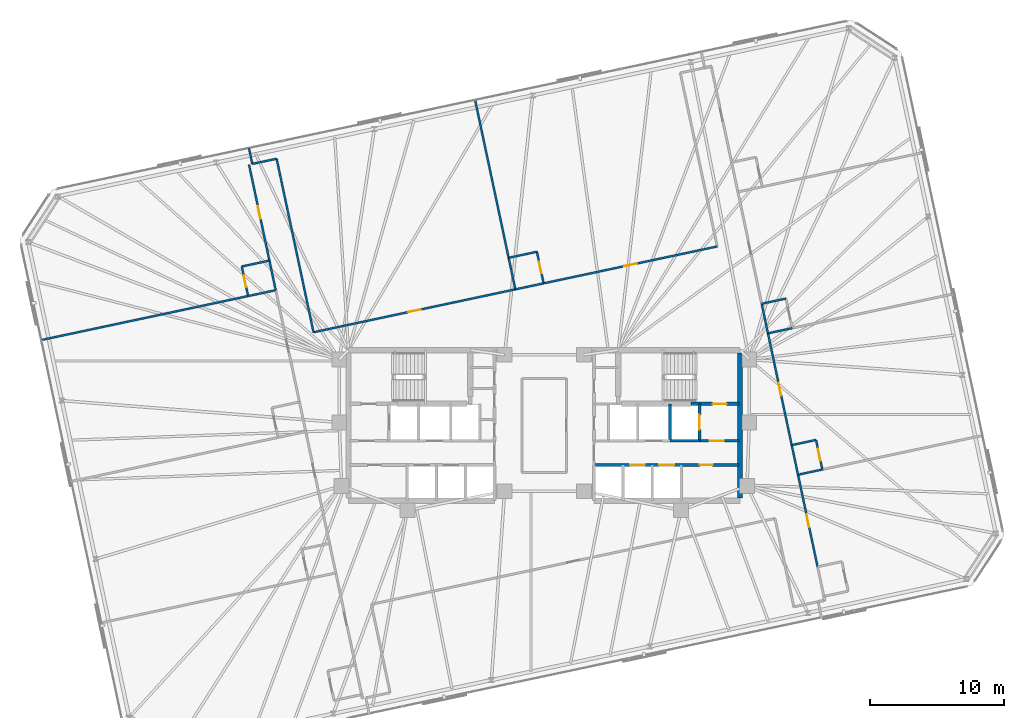
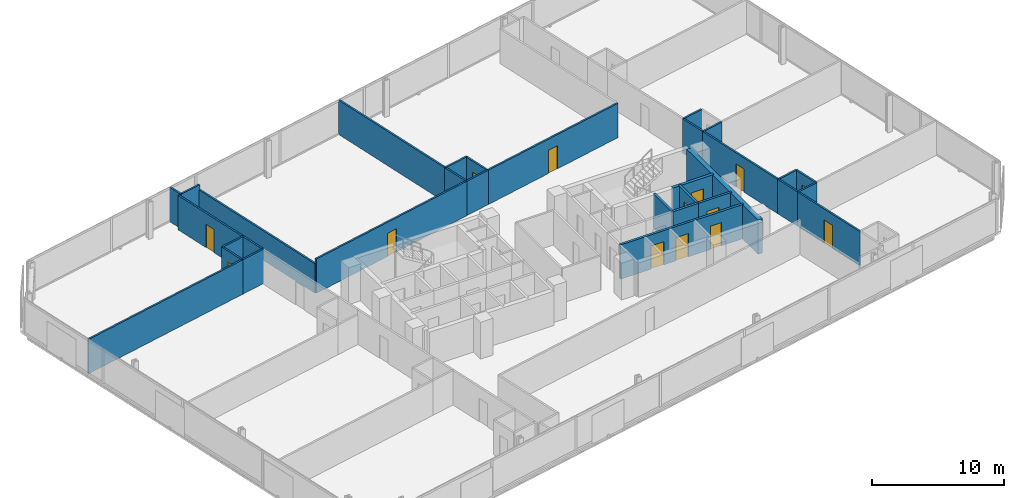
# One storey, part 16 of 19: 32 walls, 14 doors, 14 openings.
"""IFC4 building model written with IfcOpenShell, lengths in metres."""

from ifc_helpers import new_model, si_unit, direction, frame, frame_2d, origin, place, context, subcontext, project, spatial, rectangle, extrude, material, layer, layer_set, type_object, element, fill, save


model = new_model("IFC4")

# Units and contexts
model_context = context("Model", 3, precision=1e-05, world=origin(), true_north=direction((0.0, 1.0)))
body_context = subcontext(model_context, "Body", "Model", "MODEL_VIEW")
ifc_project = project(units=[si_unit("LENGTHUNIT", "METRE"), si_unit("AREAUNIT", "SQUARE_METRE"), si_unit("VOLUMEUNIT", "CUBIC_METRE"), si_unit("PLANEANGLEUNIT", "RADIAN"), si_unit("MASSUNIT", "GRAM", prefix="KILO")], contexts=[model_context])

# Site, building, storey
site_placement = place(None, origin())
site = spatial("IfcSite", under=ifc_project, at=site_placement, CompositionType="ELEMENT")
building_placement = place(site_placement, origin())
building = spatial("IfcBuilding", under=site, at=building_placement, Name="Menara Jurai Vektor", CompositionType="ELEMENT")
storey_placement = place(building_placement, frame((0.0, 0.0, 192.199951171875)))
storey = spatial("IfcBuildingStorey", under=building, at=storey_placement, Name="L50", CompositionType="ELEMENT", Elevation=192.199951171875)

# Wall, opening, door
ifc_material_1 = material(Name="Concrete C40/50", Category="concrete")
ifc_layer_1 = layer(ifc_material_1, 0.25)
ifc_layer_set_1 = layer_set([ifc_layer_1], Name="Concrete C40/50")
wall_type_1 = type_object("IfcWallType", Name="INT-WALL-CORE-250", PredefinedType="STANDARD", material=ifc_layer_set_1)
wall_1_placement = place(storey_placement, frame((10.89990234375, 1.60009765625, 0.0), z_axis=(0.0, 0.0, 1.0), x_axis=(1.0, 0.0, 0.0)))
wall_1 = element("IfcWall", 1, at=wall_1_placement, inside=storey, type_object=wall_type_1, Name="Interior Wall IW-250 L50", PredefinedType="STANDARD", context=body_context, shape_type="SweptSolid", body=[
    extrude(rectangle(XDim=3.60009765625, YDim=0.25, at=frame_2d((1.800048828125, 0.0))), origin(), (0.0, 0.0, 1.0), 3.175048828125),
])
opening_1_placement = place(wall_1_placement, frame((1.6201171875, 0.0, 0.0)))
opening_1 = element("IfcOpeningElement", 2, at=opening_1_placement, cuts=wall_1, Name="Opening D-L50-ST2", PredefinedType="OPENING", context=body_context, shape_type="SweptSolid", body=[
    extrude(rectangle(XDim=1.050048828125, YDim=2.14990234375, at=frame_2d((0.52490234375, 1.074951171875))), frame((0.0, 0.135009765625, 0.0), z_axis=(0.0, -1.0, 0.0), x_axis=(1.0, 0.0, 0.0)), (0.0, 0.0, 1.0), 0.27001953125),
])
ifc_material_2 = material(Name="Fire-Rated Steel Door", Category="steel")
door_type_1 = type_object("IfcDoorType", Name="DR-STAIR-1050", OperationType="NOTDEFINED", PredefinedType="DOOR", material=ifc_material_2)
door_1_placement = place(opening_1_placement, origin())
door_1 = element("IfcDoor", 3, at=door_1_placement, inside=storey, type_object=door_type_1, Name="Exit Stair ST2 Door L50", OperationType="SINGLE_SWING_LEFT", OverallHeight=2.14990234375, OverallWidth=1.050048828125, PredefinedType="DOOR", context=body_context, shape_type="SweptSolid", body=[
    extrude(rectangle(XDim=1.050048828125, YDim=2.14990234375, at=frame_2d((0.52490234375, 1.074951171875))), frame((0.0, 0.02490234375, 0.0), z_axis=(0.0, -1.0, 0.0), x_axis=(1.0, 0.0, 0.0)), (0.0, 0.0, 1.0), 0.050048828125),
])
fill(opening_1, door_1)

wall_2_placement = place(storey_placement, frame((11.550048828125, -1.14990234375, 0.0), z_axis=(0.0, 0.0, 1.0), x_axis=(0.0, 1.0, 0.0)))
wall_2 = element("IfcWall", 4, at=wall_2_placement, inside=storey, type_object=wall_type_1, Name="Interior Wall IW-250 L50", PredefinedType="STANDARD", context=body_context, shape_type="SweptSolid", body=[
    extrude(rectangle(XDim=2.75, YDim=0.199951171875, at=frame_2d((1.375, 0.0))), origin(), (0.0, 0.0, 1.0), 3.175048828125),
])
opening_2_placement = place(wall_2_placement, frame((0.824951171875, 0.0, 0.0)))
opening_2 = element("IfcOpeningElement", 5, at=opening_2_placement, cuts=wall_2, Name="Opening LD-L50-FL2", PredefinedType="OPENING", context=body_context, shape_type="SweptSolid", body=[
    extrude(rectangle(XDim=1.10009765625, YDim=2.14990234375, at=frame_2d((0.550048828125, 1.074951171875))), frame((0.0, 0.10986328125, 0.0), z_axis=(0.0, -1.0, 0.0), x_axis=(1.0, 0.0, 0.0)), (0.0, 0.0, 1.0), 0.219970703125),
])
ifc_material_3 = material(Name="Stainless Steel Sliding Lift Landing Door", Category="steel")
door_type_2 = type_object("IfcDoorType", Name="DR-LIFT-FIRE-1100", OperationType="NOTDEFINED", PredefinedType="DOOR", material=ifc_material_3)
door_2_placement = place(opening_2_placement, origin())
door_2 = element("IfcDoor", 6, at=door_2_placement, inside=storey, type_object=door_type_2, Name="Lift Landing Door FL2 L50", OperationType="SLIDING_TO_RIGHT", OverallHeight=2.14990234375, OverallWidth=1.10009765625, PredefinedType="DOOR", context=body_context, shape_type="SweptSolid", body=[
    extrude(rectangle(XDim=1.10009765625, YDim=2.14990234375, at=frame_2d((0.550048828125, 1.074951171875))), frame((0.0, 0.02490234375, 0.0), z_axis=(0.0, -1.0, 0.0), x_axis=(1.0, 0.0, 0.0)), (0.0, 0.0, 1.0), 0.050048828125),
])
fill(opening_2, door_2)

# Wall
wall_3_placement = place(storey_placement, frame((9.35009765625, -1.14990234375, 0.0), z_axis=(0.0, 0.0, 1.0), x_axis=(0.0, 1.0, 0.0)))
element("IfcWall", 7, at=wall_3_placement, inside=storey, type_object=wall_type_1, Name="Interior Wall IW-250 L50", PredefinedType="STANDARD", context=body_context, shape_type="SweptSolid", body=[
    extrude(rectangle(XDim=2.75, YDim=0.199951171875, at=frame_2d((1.375, 0.0))), origin(), (0.0, 0.0, 1.0), 3.175048828125),
])

# Wall, opening, door
wall_4_placement = place(storey_placement, frame((11.550048828125, -1.14990234375, 0.0), z_axis=(0.0, 0.0, 1.0), x_axis=(1.0, 0.0, 0.0)))
wall_4 = element("IfcWall", 8, at=wall_4_placement, inside=storey, type_object=wall_type_1, Name="Interior Wall IW-250 L50", PredefinedType="STANDARD", context=body_context, shape_type="SweptSolid", body=[
    extrude(rectangle(XDim=2.949951171875, YDim=0.199951171875, at=frame_2d((1.47509765625, 0.0))), origin(), (0.0, 0.0, 1.0), 3.175048828125),
])
opening_3_placement = place(wall_4_placement, frame((0.75, 0.0, 0.0)))
opening_3 = element("IfcOpeningElement", 9, at=opening_3_placement, cuts=wall_4, Name="Opening D-L50-FFE", PredefinedType="OPENING", context=body_context, shape_type="SweptSolid", body=[
    extrude(rectangle(XDim=1.050048828125, YDim=2.179931640625, at=frame_2d((0.52490234375, 1.08984375))), frame((0.0, 0.10986328125, 0.0), z_axis=(0.0, -1.0, 0.0), x_axis=(1.0, 0.0, 0.0)), (0.0, 0.0, 1.0), 0.219970703125),
])
ifc_material_4 = material(Name="Fire-Rated Timber Door", Category="wood")
door_type_3 = type_object("IfcDoorType", Name="DR-LOBBY-1050", OperationType="NOTDEFINED", PredefinedType="DOOR", material=ifc_material_4)
door_3_placement = place(opening_3_placement, origin())
door_3 = element("IfcDoor", 10, at=door_3_placement, inside=storey, type_object=door_type_3, Name="Fire Lift Lobby Door E L50", OperationType="SINGLE_SWING_LEFT", OverallHeight=2.179931640625, OverallWidth=1.050048828125, PredefinedType="DOOR", context=body_context, shape_type="SweptSolid", body=[
    extrude(rectangle(XDim=1.050048828125, YDim=2.179931640625, at=frame_2d((0.52490234375, 1.08984375))), frame((0.0, 0.02490234375, 0.0), z_axis=(0.0, -1.0, 0.0), x_axis=(1.0, 0.0, 0.0)), (0.0, 0.0, 1.0), 0.050048828125),
])
fill(opening_3, door_3)

# Walls
wall_5_placement = place(storey_placement, frame((9.35009765625, -1.14990234375, 0.0), z_axis=(0.0, 0.0, 1.0), x_axis=(1.0, 0.0, 0.0)))
element("IfcWall", 11, at=wall_5_placement, inside=storey, type_object=wall_type_1, Name="Interior Wall IW-250 L50", PredefinedType="STANDARD", context=body_context, shape_type="SweptSolid", body=[
    extrude(rectangle(XDim=2.199951171875, YDim=0.199951171875, at=frame_2d((1.10009765625, 0.0))), origin(), (0.0, 0.0, 1.0), 3.175048828125),
])
ifc_material_5 = material(Name="Gypsum Fireboard Partition", Category="gypsum")
ifc_layer_2 = layer(ifc_material_5, 0.14990234375)
ifc_layer_set_2 = layer_set([ifc_layer_2], Name="Gypsum Fireboard Partition")
wall_type_2 = type_object("IfcWallType", Name="INT-WALL-CORR-150", PredefinedType="PARTITIONING", material=ifc_layer_set_2)
wall_6_placement = place(storey_placement, frame((-21.71533203125, 19.447998046875, 0.0), z_axis=(0.0, 0.0, 1.0), x_axis=(0.978160192495, 0.207852442415, 0.0)))
element("IfcWall", 12, at=wall_6_placement, inside=storey, type_object=wall_type_2, Name="Interior Wall IW-150 L50", PredefinedType="PARTITIONING", context=body_context, shape_type="SweptSolid", body=[
    extrude(rectangle(XDim=1.849853515625, YDim=0.14990234375, at=frame_2d((0.9248046875, 0.0))), origin(), (0.0, 0.0, 1.0), 3.175048828125),
])

# Wall, opening, door
wall_7_placement = place(storey_placement, frame((-17.162353515625, 6.92578125, 0.0), z_axis=(0.0, 0.0, 1.0), x_axis=(0.978145870853, 0.207919829103, 0.0)))
wall_7 = element("IfcWall", 13, at=wall_7_placement, inside=storey, type_object=wall_type_2, Name="Interior Wall IW-150 L50", PredefinedType="PARTITIONING", context=body_context, shape_type="SweptSolid", body=[
    extrude(rectangle(XDim=15.346923828125, YDim=0.14990234375, at=frame_2d((7.67333984375, 0.0))), origin(), (0.0, 0.0, 1.0), 3.175048828125),
])
opening_4_placement = place(wall_7_placement, frame((7.21337890625, 0.0, 0.0)))
opening_4 = element("IfcOpeningElement", 14, at=opening_4_placement, cuts=wall_7, Name="Opening D50-09", PredefinedType="OPENING", context=body_context, shape_type="SweptSolid", body=[
    extrude(rectangle(XDim=0.919921875, YDim=2.14990234375, at=frame_2d((0.4599609375, 1.074951171875))), frame((0.0, 0.0849609375, 0.0), z_axis=(0.0, -1.0, 0.0), x_axis=(1.0, 0.0, 0.0)), (0.0, 0.0, 1.0), 0.169921875),
])
ifc_material_6 = material(Name="Solid Core Timber Fire Door", Category="wood")
door_type_4 = type_object("IfcDoorType", Name="DR-ENTRY-950", OperationType="NOTDEFINED", PredefinedType="DOOR", material=ifc_material_6)
door_4_placement = place(opening_4_placement, origin())
door_4 = element("IfcDoor", 15, at=door_4_placement, inside=storey, type_object=door_type_4, Name="Interior Door D50-09", OperationType="SINGLE_SWING_RIGHT", OverallHeight=2.14990234375, OverallWidth=0.919921875, PredefinedType="DOOR", context=body_context, shape_type="SweptSolid", body=[
    extrude(rectangle(XDim=0.919921875, YDim=2.14990234375, at=frame_2d((0.4599609375, 1.074951171875))), frame((0.0, 0.02490234375, 0.0), z_axis=(0.0, -1.0, 0.0), x_axis=(1.0, 0.0, 0.0)), (0.0, 0.0, 1.0), 0.050048828125),
])
fill(opening_4, door_4)

wall_8_placement = place(storey_placement, frame((-0.0478515625, 10.563720703125, 0.0), z_axis=(0.0, 0.0, 1.0), x_axis=(0.978149729453, 0.207901675731, 0.0)))
wall_8 = element("IfcWall", 16, at=wall_8_placement, inside=storey, type_object=wall_type_2, Name="Interior Wall IW-150 L50", PredefinedType="PARTITIONING", context=body_context, shape_type="SweptSolid", body=[
    extrude(rectangle(XDim=13.197998046875, YDim=0.14990234375, at=frame_2d((6.59912109375, 0.0))), origin(), (0.0, 0.0, 1.0), 3.175048828125),
])
opening_5_placement = place(wall_8_placement, frame((6.138916015625, 0.0, 0.0)))
opening_5 = element("IfcOpeningElement", 17, at=opening_5_placement, cuts=wall_8, Name="Opening D50-10", PredefinedType="OPENING", context=body_context, shape_type="SweptSolid", body=[
    extrude(rectangle(XDim=0.919921875, YDim=2.14990234375, at=frame_2d((0.4599609375, 1.074951171875))), frame((0.0, 0.0849609375, 0.0), z_axis=(0.0, -1.0, 0.0), x_axis=(1.0, 0.0, 0.0)), (0.0, 0.0, 1.0), 0.169921875),
])
door_5_placement = place(opening_5_placement, origin())
door_5 = element("IfcDoor", 18, at=door_5_placement, inside=storey, type_object=door_type_4, Name="Interior Door D50-10", OperationType="SINGLE_SWING_LEFT", OverallHeight=2.14990234375, OverallWidth=0.919921875, PredefinedType="DOOR", context=body_context, shape_type="SweptSolid", body=[
    extrude(rectangle(XDim=0.919921875, YDim=2.14990234375, at=frame_2d((0.4599609375, 1.074951171875))), frame((0.0, 0.02490234375, 0.0), z_axis=(0.0, -1.0, 0.0), x_axis=(1.0, 0.0, 0.0)), (0.0, 0.0, 1.0), 0.050048828125),
])
fill(opening_5, door_5)

# Wall
wall_9_placement = place(storey_placement, frame((-2.15087890625, 10.11669921875, 0.0), z_axis=(0.0, 0.0, 1.0), x_axis=(0.978146728319, 0.207915795165, 0.0)))
element("IfcWall", 19, at=wall_9_placement, inside=storey, type_object=wall_type_2, Name="Interior Wall IW-150 L50", PredefinedType="PARTITIONING", context=body_context, shape_type="SweptSolid", body=[
    extrude(rectangle(XDim=2.14990234375, YDim=0.14990234375, at=frame_2d((1.074951171875, 0.0))), origin(), (0.0, 0.0, 1.0), 3.175048828125),
])

# Wall, opening, door
wall_10_placement = place(storey_placement, frame((-20.442138671875, 12.25537109375, 0.0), z_axis=(0.0, 0.0, 1.0), x_axis=(-0.207916352354, 0.978146609882, 0.0)))
wall_10 = element("IfcWall", 20, at=wall_10_placement, inside=storey, type_object=wall_type_2, Name="Interior Wall IW-150 L50", PredefinedType="PARTITIONING", context=body_context, shape_type="SweptSolid", body=[
    extrude(rectangle(XDim=7.300048828125, YDim=0.14990234375, at=frame_2d((3.64990234375, 0.0))), origin(), (0.0, 0.0, 1.0), 3.175048828125),
])
opening_6_placement = place(wall_10_placement, frame((3.175048828125, 0.0, 0.0)))
opening_6 = element("IfcOpeningElement", 21, at=opening_6_placement, cuts=wall_10, Name="Opening D50-19", PredefinedType="OPENING", context=body_context, shape_type="SweptSolid", body=[
    extrude(rectangle(XDim=0.949951171875, YDim=2.14990234375, at=frame_2d((0.47509765625, 1.074951171875))), frame((0.0, 0.0849609375, 0.0), z_axis=(0.0, -1.0, 0.0), x_axis=(1.0, 0.0, 0.0)), (0.0, 0.0, 1.0), 0.169921875),
])
door_6_placement = place(opening_6_placement, origin())
door_6 = element("IfcDoor", 22, at=door_6_placement, inside=storey, type_object=door_type_4, Name="Interior Door D50-19", OperationType="SINGLE_SWING_RIGHT", OverallHeight=2.14990234375, OverallWidth=0.949951171875, PredefinedType="DOOR", context=body_context, shape_type="SweptSolid", body=[
    extrude(rectangle(XDim=0.949951171875, YDim=2.14990234375, at=frame_2d((0.47509765625, 1.074951171875))), frame((0.0, 0.02490234375, 0.0), z_axis=(0.0, -1.0, 0.0), x_axis=(1.0, 0.0, 0.0)), (0.0, 0.0, 1.0), 0.050048828125),
])
fill(opening_6, door_6)

# Wall
wall_11_placement = place(storey_placement, frame((-19.974365234375, 10.0546875, 0.0), z_axis=(0.0, 0.0, 1.0), x_axis=(-0.207913264065, 0.978147266328, 0.0)))
element("IfcWall", 23, at=wall_11_placement, inside=storey, type_object=wall_type_2, Name="Interior Wall IW-150 L50", PredefinedType="PARTITIONING", context=body_context, shape_type="SweptSolid", body=[
    extrude(rectangle(XDim=2.249755859375, YDim=0.14990234375, at=frame_2d((1.125, 0.0))), origin(), (0.0, 0.0, 1.0), 3.175048828125),
])

# Wall, opening, door
wall_12_placement = place(storey_placement, frame((20.328125, -10.515380859375, 0.0), z_axis=(0.0, 0.0, 1.0), x_axis=(-0.207906726269, 0.978148655968, 0.0)))
wall_12 = element("IfcWall", 24, at=wall_12_placement, inside=storey, type_object=wall_type_2, Name="Interior Wall IW-150 L50", PredefinedType="PARTITIONING", context=body_context, shape_type="SweptSolid", body=[
    extrude(rectangle(XDim=7.0, YDim=0.14990234375, at=frame_2d((3.5, 0.0))), origin(), (0.0, 0.0, 1.0), 3.175048828125),
])
opening_7_placement = place(wall_12_placement, frame((3.02490234375, 0.0, 0.0)))
opening_7 = element("IfcOpeningElement", 25, at=opening_7_placement, cuts=wall_12, Name="Opening D50-21", PredefinedType="OPENING", context=body_context, shape_type="SweptSolid", body=[
    extrude(rectangle(XDim=0.949951171875, YDim=2.14990234375, at=frame_2d((0.47509765625, 1.074951171875))), frame((0.0, 0.0849609375, 0.0), z_axis=(0.0, -1.0, 0.0), x_axis=(1.0, 0.0, 0.0)), (0.0, 0.0, 1.0), 0.169921875),
])
door_7_placement = place(opening_7_placement, origin())
door_7 = element("IfcDoor", 26, at=door_7_placement, inside=storey, type_object=door_type_4, Name="Interior Door D50-21", OperationType="SINGLE_SWING_RIGHT", OverallHeight=2.14990234375, OverallWidth=0.949951171875, PredefinedType="DOOR", context=body_context, shape_type="SweptSolid", body=[
    extrude(rectangle(XDim=0.949951171875, YDim=2.14990234375, at=frame_2d((0.47509765625, 1.074951171875))), frame((0.0, 0.02490234375, 0.0), z_axis=(0.0, -1.0, 0.0), x_axis=(1.0, 0.0, 0.0)), (0.0, 0.0, 1.0), 0.050048828125),
])
fill(opening_7, door_7)

wall_13_placement = place(storey_placement, frame((18.40478515625, -1.4677734375, 0.0), z_axis=(0.0, 0.0, 1.0), x_axis=(-0.207888984761, 0.97815242678, 0.0)))
wall_13 = element("IfcWall", 27, at=wall_13_placement, inside=storey, type_object=wall_type_2, Name="Interior Wall IW-150 L50", PredefinedType="PARTITIONING", context=body_context, shape_type="SweptSolid", body=[
    extrude(rectangle(XDim=8.500244140625, YDim=0.14990234375, at=frame_2d((4.25, 0.0))), origin(), (0.0, 0.0, 1.0), 3.175048828125),
])
opening_8_placement = place(wall_13_placement, frame((3.77490234375, 0.0, 0.0)))
opening_8 = element("IfcOpeningElement", 28, at=opening_8_placement, cuts=wall_13, Name="Opening D50-23", PredefinedType="OPENING", context=body_context, shape_type="SweptSolid", body=[
    extrude(rectangle(XDim=0.949951171875, YDim=2.14990234375, at=frame_2d((0.47509765625, 1.074951171875))), frame((0.0, 0.0849609375, 0.0), z_axis=(0.0, -1.0, 0.0), x_axis=(1.0, 0.0, 0.0)), (0.0, 0.0, 1.0), 0.169921875),
])
door_8_placement = place(opening_8_placement, origin())
door_8 = element("IfcDoor", 29, at=door_8_placement, inside=storey, type_object=door_type_4, Name="Interior Door D50-23", OperationType="SINGLE_SWING_RIGHT", OverallHeight=2.14990234375, OverallWidth=0.949951171875, PredefinedType="DOOR", context=body_context, shape_type="SweptSolid", body=[
    extrude(rectangle(XDim=0.949951171875, YDim=2.14990234375, at=frame_2d((0.47509765625, 1.074951171875))), frame((0.0, 0.02490234375, 0.0), z_axis=(0.0, -1.0, 0.0), x_axis=(1.0, 0.0, 0.0)), (0.0, 0.0, 1.0), 0.050048828125),
])
fill(opening_8, door_8)

# Walls
wall_14_placement = place(storey_placement, frame((18.872802734375, -3.66845703125, 0.0), z_axis=(0.0, 0.0, 1.0), x_axis=(-0.208017083936, 0.9781251928, 0.0)))
element("IfcWall", 30, at=wall_14_placement, inside=storey, type_object=wall_type_2, Name="Interior Wall IW-150 L50", PredefinedType="PARTITIONING", context=body_context, shape_type="SweptSolid", body=[
    extrude(rectangle(XDim=2.25, YDim=0.14990234375, at=frame_2d((1.125, 0.0))), origin(), (0.0, 0.0, 1.0), 3.175048828125),
])
wall_15_placement = place(storey_placement, frame((16.6376953125, 6.8466796875, 0.0), z_axis=(0.0, 0.0, 1.0), x_axis=(-0.207913264065, 0.978147266328, 0.0)))
element("IfcWall", 31, at=wall_15_placement, inside=storey, type_object=wall_type_2, Name="Interior Wall IW-150 L50", PredefinedType="PARTITIONING", context=body_context, shape_type="SweptSolid", body=[
    extrude(rectangle(XDim=2.249755859375, YDim=0.14990234375, at=frame_2d((1.125, 0.0))), origin(), (0.0, 0.0, 1.0), 3.175048828125),
])
wall_16_placement = place(storey_placement, frame((-2.64990234375, 12.46435546875, 0.0), z_axis=(0.0, 0.0, 1.0), x_axis=(-0.207914988081, 0.978146899873, 0.0)))
element("IfcWall", 32, at=wall_16_placement, inside=storey, type_object=wall_type_2, Name="Interior Wall IW-150 L50", PredefinedType="PARTITIONING", context=body_context, shape_type="SweptSolid", body=[
    extrude(rectangle(XDim=11.994873046875, YDim=0.14990234375, at=frame_2d((5.99755859375, 0.0))), origin(), (0.0, 0.0, 1.0), 3.175048828125),
])
wall_17_placement = place(storey_placement, frame((-2.15087890625, 10.11669921875, 0.0), z_axis=(0.0, 0.0, 1.0), x_axis=(-0.207917150959, 0.978146440129, 0.0)))
element("IfcWall", 33, at=wall_17_placement, inside=storey, type_object=wall_type_2, Name="Interior Wall IW-150 L50", PredefinedType="PARTITIONING", context=body_context, shape_type="SweptSolid", body=[
    extrude(rectangle(XDim=2.400146484375, YDim=0.14990234375, at=frame_2d((1.2001953125, 0.0))), origin(), (0.0, 0.0, 1.0), 3.175048828125),
])
wall_18_placement = place(storey_placement, frame((-21.71533203125, 19.447998046875, 0.0), z_axis=(0.0, 0.0, 1.0), x_axis=(-0.20795853359, 0.978137642823, 0.0)))
element("IfcWall", 34, at=wall_18_placement, inside=storey, type_object=wall_type_2, Name="Interior Wall IW-150 L50", PredefinedType="PARTITIONING", context=body_context, shape_type="SweptSolid", body=[
    extrude(rectangle(XDim=1.19970703125, YDim=0.14990234375, at=frame_2d((0.599853515625, 0.0))), origin(), (0.0, 0.0, 1.0), 3.175048828125),
])
wall_19_placement = place(storey_placement, frame((-2.64990234375, 12.46435546875, 0.0), z_axis=(0.0, 0.0, 1.0), x_axis=(0.978146728319, 0.207915795165, 0.0)))
element("IfcWall", 35, at=wall_19_placement, inside=storey, type_object=wall_type_2, Name="Interior Wall IW-150 L50", PredefinedType="PARTITIONING", context=body_context, shape_type="SweptSolid", body=[
    extrude(rectangle(XDim=2.14990234375, YDim=0.14990234375, at=frame_2d((1.074951171875, 0.0))), origin(), (0.0, 0.0, 1.0), 3.175048828125),
])

# Wall, opening, door
wall_20_placement = place(storey_placement, frame((-0.0478515625, 10.563720703125, 0.0), z_axis=(0.0, 0.0, 1.0), x_axis=(-0.207917150959, 0.978146440129, 0.0)))
wall_20 = element("IfcWall", 36, at=wall_20_placement, inside=storey, type_object=wall_type_2, Name="Interior Wall IW-150 L50", PredefinedType="PARTITIONING", context=body_context, shape_type="SweptSolid", body=[
    extrude(rectangle(XDim=2.400146484375, YDim=0.14990234375, at=frame_2d((1.2001953125, 0.0))), origin(), (0.0, 0.0, 1.0), 3.175048828125),
])
opening_9_placement = place(wall_20_placement, frame((0.760009765625, 0.0, 0.0)))
opening_9 = element("IfcOpeningElement", 37, at=opening_9_placement, cuts=wall_20, Name="Opening D50-11", PredefinedType="OPENING", context=body_context, shape_type="SweptSolid", body=[
    extrude(rectangle(XDim=0.8798828125, YDim=2.14990234375, at=frame_2d((0.43994140625, 1.074951171875))), frame((0.0, 0.0849609375, 0.0), z_axis=(0.0, -1.0, 0.0), x_axis=(1.0, 0.0, 0.0)), (0.0, 0.0, 1.0), 0.169921875),
])
ifc_material_7 = material(Name="Moisture-Resistant Timber Door", Category="wood")
door_type_5 = type_object("IfcDoorType", Name="DR-BATH-880", OperationType="NOTDEFINED", PredefinedType="DOOR", material=ifc_material_7)
door_9_placement = place(opening_9_placement, origin())
door_9 = element("IfcDoor", 38, at=door_9_placement, inside=storey, type_object=door_type_5, Name="Interior Door D50-11", OperationType="SINGLE_SWING_RIGHT", OverallHeight=2.14990234375, OverallWidth=0.8798828125, PredefinedType="DOOR", context=body_context, shape_type="SweptSolid", body=[
    extrude(rectangle(XDim=0.8798828125, YDim=2.14990234375, at=frame_2d((0.43994140625, 1.074951171875))), frame((0.0, 0.02490234375, 0.0), z_axis=(0.0, -1.0, 0.0), x_axis=(1.0, 0.0, 0.0)), (0.0, 0.0, 1.0), 0.050048828125),
])
fill(opening_9, door_9)

# Walls
wall_21_placement = place(storey_placement, frame((-37.403076171875, 6.35009765625, 0.0), z_axis=(0.0, 0.0, 1.0), x_axis=(0.978149296727, 0.207903711638, 0.0)))
element("IfcWall", 39, at=wall_21_placement, inside=storey, type_object=wall_type_2, Name="Interior Wall IW-150 L50", PredefinedType="PARTITIONING", context=body_context, shape_type="SweptSolid", body=[
    extrude(rectangle(XDim=15.718017578125, YDim=0.14990234375, at=frame_2d((7.85888671875, 0.0))), origin(), (0.0, 0.0, 1.0), 3.175048828125),
])
wall_22_placement = place(storey_placement, frame((-22.028564453125, 9.617919921875, 0.0), z_axis=(0.0, 0.0, 1.0), x_axis=(0.978134617382, 0.207972763311, 0.0)))
element("IfcWall", 40, at=wall_22_placement, inside=storey, type_object=wall_type_2, Name="Interior Wall IW-150 L50", PredefinedType="PARTITIONING", context=body_context, shape_type="SweptSolid", body=[
    extrude(rectangle(XDim=2.10009765625, YDim=0.14990234375, at=frame_2d((1.050048828125, 0.0))), origin(), (0.0, 0.0, 1.0), 3.175048828125),
])

# Wall, opening, door
wall_23_placement = place(storey_placement, frame((-22.028564453125, 9.617919921875, 0.0), z_axis=(0.0, 0.0, 1.0), x_axis=(-0.207891197838, 0.978151956427, 0.0)))
wall_23 = element("IfcWall", 41, at=wall_23_placement, inside=storey, type_object=wall_type_2, Name="Interior Wall IW-150 L50", PredefinedType="PARTITIONING", context=body_context, shape_type="SweptSolid", body=[
    extrude(rectangle(XDim=2.25, YDim=0.14990234375, at=frame_2d((1.125, 0.0))), origin(), (0.0, 0.0, 1.0), 3.175048828125),
])
opening_10_placement = place(wall_23_placement, frame((0.68505859375, 0.0, 0.0)))
opening_10 = element("IfcOpeningElement", 42, at=opening_10_placement, cuts=wall_23, Name="Opening D50-20", PredefinedType="OPENING", context=body_context, shape_type="SweptSolid", body=[
    extrude(rectangle(XDim=0.8798828125, YDim=2.14990234375, at=frame_2d((0.43994140625, 1.074951171875))), frame((0.0, 0.0849609375, 0.0), z_axis=(0.0, -1.0, 0.0), x_axis=(1.0, 0.0, 0.0)), (0.0, 0.0, 1.0), 0.169921875),
])
door_10_placement = place(opening_10_placement, origin())
door_10 = element("IfcDoor", 43, at=door_10_placement, inside=storey, type_object=door_type_5, Name="Interior Door D50-20", OperationType="SINGLE_SWING_LEFT", OverallHeight=2.14990234375, OverallWidth=0.8798828125, PredefinedType="DOOR", context=body_context, shape_type="SweptSolid", body=[
    extrude(rectangle(XDim=0.8798828125, YDim=2.14990234375, at=frame_2d((0.43994140625, 1.074951171875))), frame((0.0, 0.02490234375, 0.0), z_axis=(0.0, -1.0, 0.0), x_axis=(1.0, 0.0, 0.0)), (0.0, 0.0, 1.0), 0.050048828125),
])
fill(opening_10, door_10)

# Walls
wall_24_placement = place(storey_placement, frame((-22.496337890625, 11.81884765625, 0.0), z_axis=(0.0, 0.0, 1.0), x_axis=(0.97815826, 0.207861536591, 0.0)))
element("IfcWall", 44, at=wall_24_placement, inside=storey, type_object=wall_type_2, Name="Interior Wall IW-150 L50", PredefinedType="PARTITIONING", context=body_context, shape_type="SweptSolid", body=[
    extrude(rectangle(XDim=2.10009765625, YDim=0.14990234375, at=frame_2d((1.050048828125, 0.0))), origin(), (0.0, 0.0, 1.0), 3.175048828125),
])
wall_25_placement = place(storey_placement, frame((18.872802734375, -3.66845703125, 0.0), z_axis=(0.0, 0.0, 1.0), x_axis=(0.978160192495, 0.207852442415, 0.0)))
element("IfcWall", 45, at=wall_25_placement, inside=storey, type_object=wall_type_2, Name="Interior Wall IW-150 L50", PredefinedType="PARTITIONING", context=body_context, shape_type="SweptSolid", body=[
    extrude(rectangle(XDim=1.849853515625, YDim=0.14990234375, at=frame_2d((0.9248046875, 0.0))), origin(), (0.0, 0.0, 1.0), 3.175048828125),
])
wall_26_placement = place(storey_placement, frame((18.40478515625, -1.4677734375, 0.0), z_axis=(0.0, 0.0, 1.0), x_axis=(0.978139061018, 0.207951862966, 0.0)))
element("IfcWall", 46, at=wall_26_placement, inside=storey, type_object=wall_type_2, Name="Interior Wall IW-150 L50", PredefinedType="PARTITIONING", context=body_context, shape_type="SweptSolid", body=[
    extrude(rectangle(XDim=1.850341796875, YDim=0.14990234375, at=frame_2d((0.92529296875, 0.0))), origin(), (0.0, 0.0, 1.0), 3.175048828125),
])

# Wall, opening, door
wall_27_placement = place(storey_placement, frame((20.682373046875, -3.283935546875, 0.0), z_axis=(0.0, 0.0, 1.0), x_axis=(-0.207891197838, 0.978151956427, 0.0)))
wall_27 = element("IfcWall", 47, at=wall_27_placement, inside=storey, type_object=wall_type_2, Name="Interior Wall IW-150 L50", PredefinedType="PARTITIONING", context=body_context, shape_type="SweptSolid", body=[
    extrude(rectangle(XDim=2.25, YDim=0.14990234375, at=frame_2d((1.125, 0.0))), origin(), (0.0, 0.0, 1.0), 3.175048828125),
])
opening_11_placement = place(wall_27_placement, frame((0.68505859375, 0.0, 0.0)))
opening_11 = element("IfcOpeningElement", 48, at=opening_11_placement, cuts=wall_27, Name="Opening D50-24", PredefinedType="OPENING", context=body_context, shape_type="SweptSolid", body=[
    extrude(rectangle(XDim=0.8798828125, YDim=2.14990234375, at=frame_2d((0.43994140625, 1.074951171875))), frame((0.0, 0.0849609375, 0.0), z_axis=(0.0, -1.0, 0.0), x_axis=(1.0, 0.0, 0.0)), (0.0, 0.0, 1.0), 0.169921875),
])
door_11_placement = place(opening_11_placement, origin())
door_11 = element("IfcDoor", 49, at=door_11_placement, inside=storey, type_object=door_type_5, Name="Interior Door D50-24", OperationType="SINGLE_SWING_LEFT", OverallHeight=2.14990234375, OverallWidth=0.8798828125, PredefinedType="DOOR", context=body_context, shape_type="SweptSolid", body=[
    extrude(rectangle(XDim=0.8798828125, YDim=2.14990234375, at=frame_2d((0.43994140625, 1.074951171875))), frame((0.0, 0.02490234375, 0.0), z_axis=(0.0, -1.0, 0.0), x_axis=(1.0, 0.0, 0.0)), (0.0, 0.0, 1.0), 0.050048828125),
])
fill(opening_11, door_11)

# Walls
wall_28_placement = place(storey_placement, frame((16.6376953125, 6.8466796875, 0.0), z_axis=(0.0, 0.0, 1.0), x_axis=(0.978160192495, 0.207852442415, 0.0)))
element("IfcWall", 50, at=wall_28_placement, inside=storey, type_object=wall_type_2, Name="Interior Wall IW-150 L50", PredefinedType="PARTITIONING", context=body_context, shape_type="SweptSolid", body=[
    extrude(rectangle(XDim=1.849853515625, YDim=0.14990234375, at=frame_2d((0.9248046875, 0.0))), origin(), (0.0, 0.0, 1.0), 3.175048828125),
])
wall_29_placement = place(storey_placement, frame((16.169921875, 9.04736328125, 0.0), z_axis=(0.0, 0.0, 1.0), x_axis=(0.978133353907, 0.20797870558, 0.0)))
element("IfcWall", 51, at=wall_29_placement, inside=storey, type_object=wall_type_2, Name="Interior Wall IW-150 L50", PredefinedType="PARTITIONING", context=body_context, shape_type="SweptSolid", body=[
    extrude(rectangle(XDim=1.85009765625, YDim=0.14990234375, at=frame_2d((0.925048828125, 0.0))), origin(), (0.0, 0.0, 1.0), 3.175048828125),
])
ifc_layer_3 = layer(ifc_material_5, 0.14990234375)
ifc_layer_set_3 = layer_set([ifc_layer_3], Name="Gypsum Fireboard Partition")
wall_type_3 = type_object("IfcWallType", Name="INT-WALL-CORR-150-H1", PredefinedType="PARTITIONING", material=ifc_layer_set_3)
wall_30_placement = place(storey_placement, frame((-17.162353515625, 6.92578125, 0.0), z_axis=(0.0, 0.0, 1.0), x_axis=(-0.207911421929, 0.978147657888, 0.0)))
element("IfcWall", 52, at=wall_30_placement, inside=storey, type_object=wall_type_3, Name="Interior Wall IW-150 L50", PredefinedType="PARTITIONING", context=body_context, shape_type="SweptSolid", body=[
    extrude(rectangle(XDim=13.195068359375, YDim=0.14990234375, at=frame_2d((6.59765625, 0.0))), origin(), (0.0, 0.0, 1.0), 2.72509765625),
])

# Wall, openings, doors
ifc_layer_4 = layer(ifc_material_1, 0.199951171875)
ifc_layer_set_4 = layer_set([ifc_layer_4], Name="Concrete C40/50")
wall_type_4 = type_object("IfcWallType", Name="INT-WALL-SHAFT-200", PredefinedType="STANDARD", material=ifc_layer_set_4)
wall_31_placement = place(storey_placement, frame((3.699951171875, -2.949951171875, 0.0), z_axis=(0.0, 0.0, 1.0), x_axis=(1.0, 0.0, 0.0)))
wall_31 = element("IfcWall", 53, at=wall_31_placement, inside=storey, type_object=wall_type_4, Name="Interior Wall IW-200 L50", PredefinedType="STANDARD", context=body_context, shape_type="SweptSolid", body=[
    extrude(rectangle(XDim=10.800048828125, YDim=0.199951171875, at=frame_2d((5.39990234375, 0.0))), origin(), (0.0, 0.0, 1.0), 3.175048828125),
])
opening_12_placement = place(wall_31_placement, frame((2.68994140625, 0.0, 0.0)))
opening_12 = element("IfcOpeningElement", 54, at=opening_12_placement, cuts=wall_31, Name="Opening LD-L50-PM3", PredefinedType="OPENING", context=body_context, shape_type="SweptSolid", body=[
    extrude(rectangle(XDim=1.10009765625, YDim=2.14990234375, at=frame_2d((0.550048828125, 1.074951171875))), frame((0.0, 0.10986328125, 0.0), z_axis=(0.0, -1.0, 0.0), x_axis=(1.0, 0.0, 0.0)), (0.0, 0.0, 1.0), 0.219970703125),
])
opening_13_placement = place(wall_31_placement, frame((4.85009765625, 0.0, 0.0)))
opening_13 = element("IfcOpeningElement", 55, at=opening_13_placement, cuts=wall_31, Name="Opening LD-L50-PM4", PredefinedType="OPENING", context=body_context, shape_type="SweptSolid", body=[
    extrude(rectangle(XDim=1.10009765625, YDim=2.14990234375, at=frame_2d((0.550048828125, 1.074951171875))), frame((0.0, 0.10986328125, 0.0), z_axis=(0.0, -1.0, 0.0), x_axis=(1.0, 0.0, 0.0)), (0.0, 0.0, 1.0), 0.219970703125),
])
opening_14_placement = place(wall_31_placement, frame((7.8798828125, 0.0, 0.0)))
opening_14 = element("IfcOpeningElement", 56, at=opening_14_placement, cuts=wall_31, Name="Opening D50-05", PredefinedType="OPENING", context=body_context, shape_type="SweptSolid", body=[
    extrude(rectangle(XDim=0.949951171875, YDim=2.14990234375, at=frame_2d((0.47509765625, 1.074951171875))), frame((0.0, 0.10986328125, 0.0), z_axis=(0.0, -1.0, 0.0), x_axis=(1.0, 0.0, 0.0)), (0.0, 0.0, 1.0), 0.219970703125),
])
door_12_placement = place(opening_14_placement, origin())
door_12 = element("IfcDoor", 57, at=door_12_placement, inside=storey, type_object=door_type_4, Name="Interior Door D50-05", OperationType="SINGLE_SWING_LEFT", OverallHeight=2.14990234375, OverallWidth=0.949951171875, PredefinedType="DOOR", context=body_context, shape_type="SweptSolid", body=[
    extrude(rectangle(XDim=0.949951171875, YDim=2.14990234375, at=frame_2d((0.47509765625, 1.074951171875))), frame((0.0, 0.02490234375, 0.0), z_axis=(0.0, -1.0, 0.0), x_axis=(1.0, 0.0, 0.0)), (0.0, 0.0, 1.0), 0.050048828125),
])
fill(opening_14, door_12)
ifc_material_8 = material(Name="Anodised Stainless Sliding Lift Landing Door", Category="steel")
door_type_6 = type_object("IfcDoorType", Name="DR-LIFT-PASS-1100", OperationType="NOTDEFINED", PredefinedType="DOOR", material=ifc_material_8)
door_13_placement = place(opening_12_placement, origin())
door_13 = element("IfcDoor", 58, at=door_13_placement, inside=storey, type_object=door_type_6, Name="Lift Landing Door PM3 L50", OperationType="SLIDING_TO_LEFT", OverallHeight=2.14990234375, OverallWidth=1.10009765625, PredefinedType="DOOR", context=body_context, shape_type="SweptSolid", body=[
    extrude(rectangle(XDim=1.10009765625, YDim=2.14990234375, at=frame_2d((0.550048828125, 1.074951171875))), frame((0.0, 0.02490234375, 0.0), z_axis=(0.0, -1.0, 0.0), x_axis=(1.0, 0.0, 0.0)), (0.0, 0.0, 1.0), 0.050048828125),
])
fill(opening_12, door_13)
door_14_placement = place(opening_13_placement, origin())
door_14 = element("IfcDoor", 59, at=door_14_placement, inside=storey, type_object=door_type_6, Name="Lift Landing Door PM4 L50", OperationType="SLIDING_TO_RIGHT", OverallHeight=2.14990234375, OverallWidth=1.10009765625, PredefinedType="DOOR", context=body_context, shape_type="SweptSolid", body=[
    extrude(rectangle(XDim=1.10009765625, YDim=2.14990234375, at=frame_2d((0.550048828125, 1.074951171875))), frame((0.0, 0.02490234375, 0.0), z_axis=(0.0, -1.0, 0.0), x_axis=(1.0, 0.0, 0.0)), (0.0, 0.0, 1.0), 0.050048828125),
])
fill(opening_13, door_14)

# Wall
ifc_material_9 = material(Name="Concrete C50/60", Category="concrete")
ifc_layer_5 = layer(ifc_material_9, 0.39990234375)
ifc_layer_set_5 = layer_set([ifc_layer_5], Name="Concrete C50/60")
wall_type_5 = type_object("IfcWallType", Name="STR-WALL-CORE400", PredefinedType="SHEAR", material=ifc_layer_set_5)
wall_32_placement = place(storey_placement, frame((14.56005859375, -5.39990234375, 0.0), z_axis=(0.0, 0.0, 1.0), x_axis=(0.0, 1.0, 0.0)))
element("IfcWall", 60, at=wall_32_placement, inside=storey, type_object=wall_type_5, Name="Core Shear Wall CW-E-E L50", PredefinedType="SHEAR", context=body_context, shape_type="SweptSolid", body=[
    extrude(rectangle(XDim=10.7998046875, YDim=0.39990234375, at=frame_2d((5.39990234375, 0.0))), origin(), (0.0, 0.0, 1.0), 3.175048828125),
])

save(model, "model.ifc")
